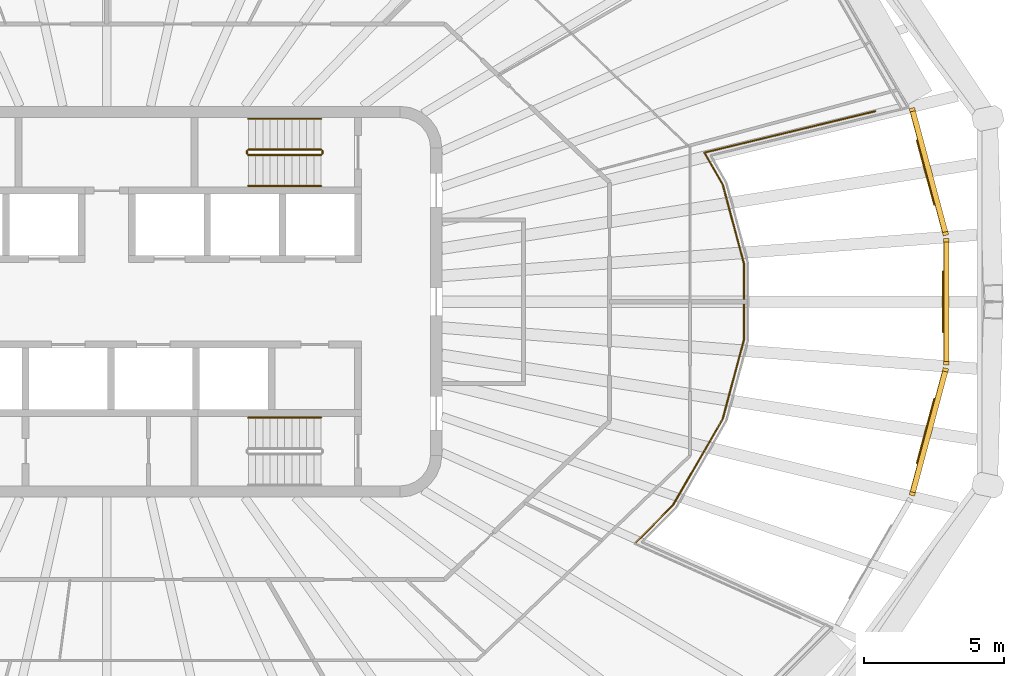
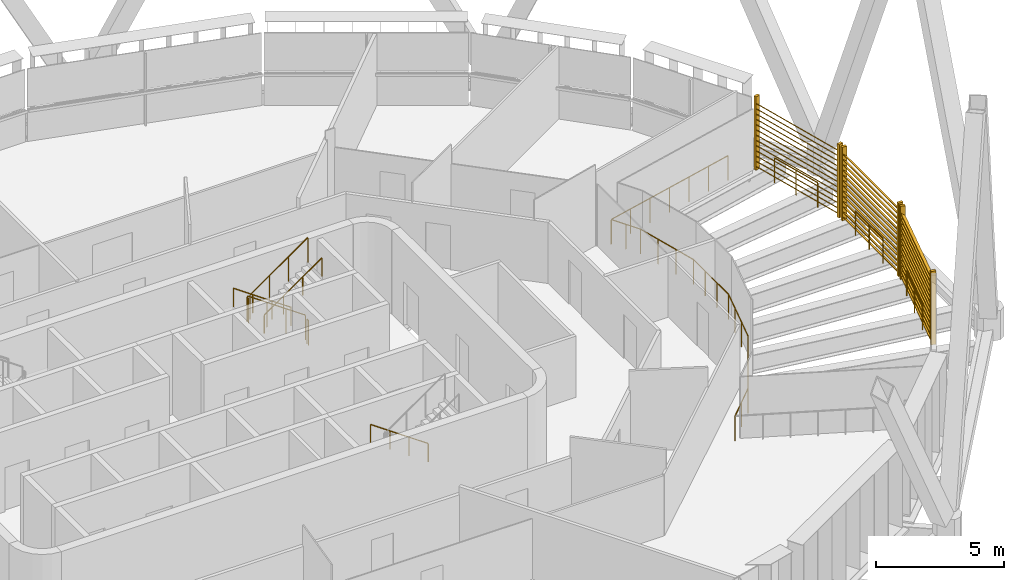
# One storey, part 19 of 20: 11 railings, 3 shading devices.
"""IFC4 building model written with IfcOpenShell, lengths in metres."""

import ifcopenshell
import ifcopenshell.guid

model = None  # the IFC model being written
_history = None  # IfcOwnerHistory: only IFC2X3 demands one
_inside = {}  # id of a spatial element -> (the spatial element, [elements in it])
_under = {}  # id of a project, library or spatial element -> (it, [spatial elements below it])
_declared = {}  # id of a project -> (the project, [libraries it declares])
_typed = {}  # id of a type object -> (the type object, [elements of that type])
_made_of = {}  # id of a material, layer set ... -> (it, [elements and type objects made of it])


def new_model(schema):
    """Start an empty IFC model of exactly this schema.

    Asked for "IFC4X3", IfcOpenShell would pick the latest addendum, in which some entities
    have other attributes; the version numbers below select the first issue.
    IFC2X3 requires an IfcOwnerHistory on every rooted entity: one is made here for all.
    """
    global model, _history
    if schema == "IFC4X3":
        model = ifcopenshell.file(schema_version=(4, 3, 0, 0))
    else:
        model = ifcopenshell.file(schema=schema)
    _inside.clear()
    _under.clear()
    _declared.clear()
    _typed.clear()
    _made_of.clear()
    _history = None
    if model.schema == "IFC2X3":
        org = make("IfcOrganization", Name="unknown")
        user = make(
            "IfcPersonAndOrganization",
            ThePerson=make("IfcPerson", FamilyName="unknown"),
            TheOrganization=org,
        )
        app = make(
            "IfcApplication",
            ApplicationDeveloper=org,
            Version="unknown",
            ApplicationFullName="unknown",
            ApplicationIdentifier="unknown",
        )
        _history = make(
            "IfcOwnerHistory",
            OwningUser=user,
            OwningApplication=app,
            ChangeAction="ADDED",
            CreationDate=0,
        )
    return model


def make(cls, **values):
    """One entity of the class cls with the attributes given. An attribute that is None is left unset."""
    return model.create_entity(
        cls, **{name: value for name, value in values.items() if value is not None}
    )


def rooted(cls, **values):
    """An entity with a GlobalId (a new one), such as an element, a storey or a relation."""
    return make(cls, GlobalId=ifcopenshell.guid.new(), OwnerHistory=_history, **values)


def si_unit(unit_type, name, prefix=None):
    """IfcSIUnit, for example si_unit("LENGTHUNIT", "METRE", prefix="MILLI")."""
    return make("IfcSIUnit", UnitType=unit_type, Prefix=prefix, Name=name)


def assignment(units):
    """IfcUnitAssignment: the units of a project."""
    return None if units is None else make("IfcUnitAssignment", Units=units)


def point(xyz):
    """IfcCartesianPoint."""
    return None if xyz is None else make("IfcCartesianPoint", Coordinates=xyz)


def direction(xyz):
    """IfcDirection."""
    return None if xyz is None else make("IfcDirection", DirectionRatios=xyz)


def frame(location, z_axis=None, x_axis=None):
    """IfcAxis2Placement3D, a coordinate frame: its origin and axes. An axis left out is left unset."""
    return make(
        "IfcAxis2Placement3D",
        Location=point(location),
        Axis=direction(z_axis),
        RefDirection=direction(x_axis),
    )


def frame_2d(location, x_axis=None):
    """IfcAxis2Placement2D, a coordinate frame in the plane: its origin and x axis."""
    return make(
        "IfcAxis2Placement2D", Location=point(location), RefDirection=direction(x_axis)
    )


def origin():
    """The frame at (0, 0, 0) with its axes left unset."""
    return frame((0.0, 0.0, 0.0))


def origin_2d():
    """The frame at (0, 0) in the plane with its x axis left unset."""
    return frame_2d((0.0, 0.0))


def place(relative_to, where):
    """IfcLocalPlacement: puts the frame where relative to a parent placement (None: the world)."""
    return make(
        "IfcLocalPlacement", PlacementRelTo=relative_to, RelativePlacement=where
    )


def context(
    kind, dimensions, precision=None, world=None, true_north=None, identifier=None
):
    """IfcGeometricRepresentationContext, for example the 3D "Model" context."""
    return make(
        "IfcGeometricRepresentationContext",
        ContextIdentifier=identifier,
        ContextType=kind,
        CoordinateSpaceDimension=dimensions,
        Precision=precision,
        WorldCoordinateSystem=world,
        TrueNorth=true_north,
    )


def subcontext(parent, identifier, kind, view, scale=None):
    """IfcGeometricRepresentationSubContext, for example "Body" below "Model"."""
    return make(
        "IfcGeometricRepresentationSubContext",
        ContextIdentifier=identifier,
        ContextType=kind,
        ParentContext=parent,
        TargetScale=scale,
        TargetView=view,
    )


def project(units=None, contexts=None):
    """IfcProject with its units and contexts."""
    return rooted(
        "IfcProject",
        Name="project",
        RepresentationContexts=contexts,
        UnitsInContext=assignment(units),
    )


def spatial(cls, under=None, at=None, **own):
    """A site, building, storey or space (cls), placed at a placement, below another one or the project."""
    s = rooted(cls, ObjectPlacement=at, **own)
    if under is not None:
        _under.setdefault(under.id(), (under, []))[1].append(s)
    return s


def profile(cls, at=None, kind="AREA", **sizes):
    """A parametric profile (cls). Its sizes go by their IFC names, for example OverallWidth=200.0."""
    return make(cls, ProfileType=kind, Position=at, **sizes)


def rectangle(**sizes):
    """IfcRectangleProfileDef."""
    return profile("IfcRectangleProfileDef", **sizes)


def circle(**sizes):
    """IfcCircleProfileDef."""
    return profile("IfcCircleProfileDef", **sizes)


def extrude(swept, where, along, depth):
    """IfcExtrudedAreaSolid: the profile swept, set in the frame where, extruded along a direction by depth."""
    return make(
        "IfcExtrudedAreaSolid",
        SweptArea=swept,
        Position=where,
        ExtrudedDirection=direction(along),
        Depth=depth,
    )


def shape(context_of_items, identifier, shape_type, items):
    """IfcShapeRepresentation: the items that make up one representation, for example the "Body"."""
    return make(
        "IfcShapeRepresentation",
        ContextOfItems=context_of_items,
        RepresentationIdentifier=identifier,
        RepresentationType=shape_type,
        Items=items,
    )


def material(Name=None, Category=None):
    """IfcMaterial."""
    return make("IfcMaterial", Name=Name, Category=Category)


def made_of(thing, what):
    """Note that an element or type object is made of a material, layer set ...; save() writes the relation."""
    if what is not None:
        _made_of.setdefault(what.id(), (what, []))[1].append(thing)
    return thing


def type_object(cls, material=None, **own):
    """A type object (cls), such as IfcWallType, which elements share."""
    return made_of(rooted(cls, **own), material)


def element(
    cls,
    number,
    at=None,
    inside=None,
    cuts=None,
    type_object=None,
    material=None,
    context=None,
    identifier="Body",
    shape_type=None,
    held_by="IfcProductDefinitionShape",
    body=None,
    shapes=None,
    **own,
):
    """One element of the class cls, such as IfcWall. Its Tag is "e" and its number.

    at: its placement. inside: the storey or other place that contains it. cuts: it is an
    opening in that element (IfcRelVoidsElement). A single representation is given by context,
    identifier, shape_type and body (its items); several are given by shapes. held_by: the class
    of the entity that holds the representations. save() writes the other relations.
    """
    e = rooted(cls, Tag="e%d" % number, ObjectPlacement=at, **own)
    if body is not None:
        shapes = [shape(context, identifier, shape_type, body)]
    if shapes is not None:
        e.Representation = make(held_by, Representations=shapes)
    if inside is not None:
        _inside.setdefault(inside.id(), (inside, []))[1].append(e)
    if cuts is not None:
        rooted(
            "IfcRelVoidsElement", RelatingBuildingElement=cuts, RelatedOpeningElement=e
        )
    if type_object is not None:
        _typed.setdefault(type_object.id(), (type_object, []))[1].append(e)
    return made_of(e, material)


def aggregate(whole, parts):
    """IfcRelAggregates: a whole, such as a stair, and the parts it consists of."""
    return rooted("IfcRelAggregates", RelatingObject=whole, RelatedObjects=parts)


def save(model, path):
    """Write the relations noted so far, then the file.

    IfcRelAggregates (storeys below a building ...), IfcRelContainedInSpatialStructure (elements
    in a storey), IfcRelDefinesByType, IfcRelAssociatesMaterial and IfcRelDeclares: one each for
    every whole, place, type object, material and project.
    """
    for whole, parts in _under.values():
        aggregate(whole, parts)
    for where, things in _inside.values():
        rooted(
            "IfcRelContainedInSpatialStructure",
            RelatedElements=things,
            RelatingStructure=where,
        )
    for kind, things in _typed.values():
        rooted("IfcRelDefinesByType", RelatedObjects=things, RelatingType=kind)
    for what, things in _made_of.values():
        rooted("IfcRelAssociatesMaterial", RelatedObjects=things, RelatingMaterial=what)
    for by, libraries in _declared.values():
        rooted("IfcRelDeclares", RelatingContext=by, RelatedDefinitions=libraries)
    model.write(path)


model = new_model("IFC4")

# Units and contexts
model_context = context("Model", 3, precision=1e-05, world=origin(), true_north=direction((0.0, 1.0)))
body_context = subcontext(model_context, "Body", "Model", "MODEL_VIEW")
ifc_project = project(units=[si_unit("LENGTHUNIT", "METRE"), si_unit("AREAUNIT", "SQUARE_METRE"), si_unit("VOLUMEUNIT", "CUBIC_METRE"), si_unit("PLANEANGLEUNIT", "RADIAN"), si_unit("MASSUNIT", "GRAM", prefix="KILO")], contexts=[model_context])

# Site, building, storey
site_placement = place(None, origin())
site = spatial("IfcSite", under=ifc_project, at=site_placement, CompositionType="ELEMENT")
building_placement = place(site_placement, origin())
building = spatial("IfcBuilding", under=site, at=building_placement, Name="Sahrelin Media Tower", CompositionType="ELEMENT")
storey_placement = place(building_placement, frame((0.0, 0.0, 267.0)))
storey = spatial("IfcBuildingStorey", under=building, at=storey_placement, Name="L58", CompositionType="ELEMENT", Elevation=267.0)

# Shading devices
ifc_material_1 = material(Name="Champagne anodised aluminium 6063-T6", Category="aluminium")
shading_device_type = type_object("IfcShadingDeviceType", Name="Garden screen", PredefinedType="USERDEFINED", material=ifc_material_1)
shading_device_1_placement = place(storey_placement, frame((29.966064453125, 0.0, 0.0), z_axis=(0.0, 0.0, 1.0), x_axis=(0.0, -1.0, 0.0)))
element("IfcShadingDevice", 1, at=shading_device_1_placement, inside=storey, type_object=shading_device_type, Name="L58:SCREEN:L58-00", ObjectType="SCREEN", PredefinedType="USERDEFINED", context=body_context, shape_type="SweptSolid", body=[
    extrude(rectangle(XDim=0.1201171875, YDim=0.199951171875, at=origin_2d()), frame((2.196533203125, 0.10009765625, 0.050048828125), z_axis=(0.0, 0.0, 1.0), x_axis=(1.0, 0.0, 0.0)), (0.0, 0.0, 1.0), 3.49853515625),
    extrude(rectangle(XDim=0.1201171875, YDim=0.199951171875, at=origin_2d()), frame((-2.196533203125, 0.10009765625, 0.050048828125), z_axis=(0.0, 0.0, 1.0), x_axis=(1.0, 0.0, 0.0)), (0.0, 0.0, 1.0), 3.49853515625),
    extrude(rectangle(XDim=0.25, YDim=0.02001953125, at=origin_2d()), frame((2.136474609375, 0.10009765625, 0.14990234375), z_axis=(-1.0, 0.0, 0.0), x_axis=(0.0, -0.766044443119, 0.642787609687)), (0.0, 0.0, 1.0), 4.27294921875),
    extrude(rectangle(XDim=0.25, YDim=0.02001953125, at=origin_2d()), frame((2.136474609375, 0.10009765625, 0.39990234375), z_axis=(-1.0, 0.0, 0.0), x_axis=(0.0, -0.766044443119, 0.642787609687)), (0.0, 0.0, 1.0), 4.27294921875),
    extrude(rectangle(XDim=0.25, YDim=0.02001953125, at=origin_2d()), frame((2.136474609375, 0.10009765625, 0.64990234375), z_axis=(-1.0, 0.0, 0.0), x_axis=(0.0, -0.766044443119, 0.642787609687)), (0.0, 0.0, 1.0), 4.27294921875),
    extrude(rectangle(XDim=0.25, YDim=0.02001953125, at=origin_2d()), frame((2.136474609375, 0.10009765625, 0.89990234375), z_axis=(-1.0, 0.0, 0.0), x_axis=(0.0, -0.766044443119, 0.642787609687)), (0.0, 0.0, 1.0), 4.27294921875),
    extrude(rectangle(XDim=0.25, YDim=0.02001953125, at=origin_2d()), frame((2.136474609375, 0.10009765625, 1.14990234375), z_axis=(-1.0, 0.0, 0.0), x_axis=(0.0, -0.766044443119, 0.642787609687)), (0.0, 0.0, 1.0), 4.27294921875),
    extrude(rectangle(XDim=0.25, YDim=0.02001953125, at=origin_2d()), frame((2.136474609375, 0.10009765625, 1.39990234375), z_axis=(-1.0, 0.0, 0.0), x_axis=(0.0, -0.766044443119, 0.642787609687)), (0.0, 0.0, 1.0), 4.27294921875),
    extrude(rectangle(XDim=0.25, YDim=0.02001953125, at=origin_2d()), frame((2.136474609375, 0.10009765625, 1.64990234375), z_axis=(-1.0, 0.0, 0.0), x_axis=(0.0, -0.766044443119, 0.642787609687)), (0.0, 0.0, 1.0), 4.27294921875),
    extrude(rectangle(XDim=0.25, YDim=0.02001953125, at=origin_2d()), frame((2.136474609375, 0.10009765625, 1.89990234375), z_axis=(-1.0, 0.0, 0.0), x_axis=(0.0, -0.766044443119, 0.642787609687)), (0.0, 0.0, 1.0), 4.27294921875),
    extrude(rectangle(XDim=0.25, YDim=0.02001953125, at=origin_2d()), frame((2.136474609375, 0.10009765625, 2.14990234375), z_axis=(-1.0, 0.0, 0.0), x_axis=(0.0, -0.766044443119, 0.642787609687)), (0.0, 0.0, 1.0), 4.27294921875),
    extrude(rectangle(XDim=0.25, YDim=0.02001953125, at=origin_2d()), frame((2.136474609375, 0.10009765625, 2.39990234375), z_axis=(-1.0, 0.0, 0.0), x_axis=(0.0, -0.766044443119, 0.642787609687)), (0.0, 0.0, 1.0), 4.27294921875),
    extrude(rectangle(XDim=0.25, YDim=0.02001953125, at=origin_2d()), frame((2.136474609375, 0.10009765625, 2.64990234375), z_axis=(-1.0, 0.0, 0.0), x_axis=(0.0, -0.766044443119, 0.642787609687)), (0.0, 0.0, 1.0), 4.27294921875),
    extrude(rectangle(XDim=0.25, YDim=0.02001953125, at=origin_2d()), frame((2.136474609375, 0.10009765625, 2.89990234375), z_axis=(-1.0, 0.0, 0.0), x_axis=(0.0, -0.766044443119, 0.642787609687)), (0.0, 0.0, 1.0), 4.27294921875),
    extrude(rectangle(XDim=0.25, YDim=0.02001953125, at=origin_2d()), frame((2.136474609375, 0.10009765625, 3.14990234375), z_axis=(-1.0, 0.0, 0.0), x_axis=(0.0, -0.766044443119, 0.642787609687)), (0.0, 0.0, 1.0), 4.27294921875),
])
shading_device_2_placement = place(storey_placement, frame((29.343017578125, 4.632080078125, 0.0), z_axis=(0.0, 0.0, 1.0), x_axis=(0.258807731996, -0.965928857556, 0.0)))
element("IfcShadingDevice", 2, at=shading_device_2_placement, inside=storey, type_object=shading_device_type, Name="L58:SCREEN:L58-01", ObjectType="SCREEN", PredefinedType="USERDEFINED", context=body_context, shape_type="SweptSolid", body=[
    extrude(rectangle(XDim=0.1201171875, YDim=0.199951171875, at=origin_2d()), frame((2.297607421875, 0.10009765625, 0.050048828125), z_axis=(0.0, 0.0, 1.0), x_axis=(1.0, 0.0, 0.0)), (0.0, 0.0, 1.0), 3.49853515625),
    extrude(rectangle(XDim=0.1201171875, YDim=0.199951171875, at=origin_2d()), frame((-2.297607421875, 0.10009765625, 0.050048828125), z_axis=(0.0, 0.0, 1.0), x_axis=(1.0, 0.0, 0.0)), (0.0, 0.0, 1.0), 3.49853515625),
    extrude(rectangle(XDim=0.25, YDim=0.02001953125, at=origin_2d()), frame((2.23779296875, 0.10009765625, 0.14990234375), z_axis=(-1.0, 0.0, 0.0), x_axis=(0.0, -0.766044443119, 0.642787609687)), (0.0, 0.0, 1.0), 4.4755859375),
    extrude(rectangle(XDim=0.25, YDim=0.02001953125, at=origin_2d()), frame((2.23779296875, 0.10009765625, 0.39990234375), z_axis=(-1.0, 0.0, 0.0), x_axis=(0.0, -0.766044443119, 0.642787609687)), (0.0, 0.0, 1.0), 4.4755859375),
    extrude(rectangle(XDim=0.25, YDim=0.02001953125, at=origin_2d()), frame((2.23779296875, 0.10009765625, 0.64990234375), z_axis=(-1.0, 0.0, 0.0), x_axis=(0.0, -0.766044443119, 0.642787609687)), (0.0, 0.0, 1.0), 4.4755859375),
    extrude(rectangle(XDim=0.25, YDim=0.02001953125, at=origin_2d()), frame((2.23779296875, 0.10009765625, 0.89990234375), z_axis=(-1.0, 0.0, 0.0), x_axis=(0.0, -0.766044443119, 0.642787609687)), (0.0, 0.0, 1.0), 4.4755859375),
    extrude(rectangle(XDim=0.25, YDim=0.02001953125, at=origin_2d()), frame((2.23779296875, 0.10009765625, 1.14990234375), z_axis=(-1.0, 0.0, 0.0), x_axis=(0.0, -0.766044443119, 0.642787609687)), (0.0, 0.0, 1.0), 4.4755859375),
    extrude(rectangle(XDim=0.25, YDim=0.02001953125, at=origin_2d()), frame((2.23779296875, 0.10009765625, 1.39990234375), z_axis=(-1.0, 0.0, 0.0), x_axis=(0.0, -0.766044443119, 0.642787609687)), (0.0, 0.0, 1.0), 4.4755859375),
    extrude(rectangle(XDim=0.25, YDim=0.02001953125, at=origin_2d()), frame((2.23779296875, 0.10009765625, 1.64990234375), z_axis=(-1.0, 0.0, 0.0), x_axis=(0.0, -0.766044443119, 0.642787609687)), (0.0, 0.0, 1.0), 4.4755859375),
    extrude(rectangle(XDim=0.25, YDim=0.02001953125, at=origin_2d()), frame((2.23779296875, 0.10009765625, 1.89990234375), z_axis=(-1.0, 0.0, 0.0), x_axis=(0.0, -0.766044443119, 0.642787609687)), (0.0, 0.0, 1.0), 4.4755859375),
    extrude(rectangle(XDim=0.25, YDim=0.02001953125, at=origin_2d()), frame((2.23779296875, 0.10009765625, 2.14990234375), z_axis=(-1.0, 0.0, 0.0), x_axis=(0.0, -0.766044443119, 0.642787609687)), (0.0, 0.0, 1.0), 4.4755859375),
    extrude(rectangle(XDim=0.25, YDim=0.02001953125, at=origin_2d()), frame((2.23779296875, 0.10009765625, 2.39990234375), z_axis=(-1.0, 0.0, 0.0), x_axis=(0.0, -0.766044443119, 0.642787609687)), (0.0, 0.0, 1.0), 4.4755859375),
    extrude(rectangle(XDim=0.25, YDim=0.02001953125, at=origin_2d()), frame((2.23779296875, 0.10009765625, 2.64990234375), z_axis=(-1.0, 0.0, 0.0), x_axis=(0.0, -0.766044443119, 0.642787609687)), (0.0, 0.0, 1.0), 4.4755859375),
    extrude(rectangle(XDim=0.25, YDim=0.02001953125, at=origin_2d()), frame((2.23779296875, 0.10009765625, 2.89990234375), z_axis=(-1.0, 0.0, 0.0), x_axis=(0.0, -0.766044443119, 0.642787609687)), (0.0, 0.0, 1.0), 4.4755859375),
    extrude(rectangle(XDim=0.25, YDim=0.02001953125, at=origin_2d()), frame((2.23779296875, 0.10009765625, 3.14990234375), z_axis=(-1.0, 0.0, 0.0), x_axis=(0.0, -0.766044443119, 0.642787609687)), (0.0, 0.0, 1.0), 4.4755859375),
])
shading_device_3_placement = place(storey_placement, frame((29.343017578125, -4.632080078125, 0.0), z_axis=(0.0, 0.0, 1.0), x_axis=(-0.258807731996, -0.965928857556, 0.0)))
element("IfcShadingDevice", 3, at=shading_device_3_placement, inside=storey, type_object=shading_device_type, Name="L58:SCREEN:L58-23", ObjectType="SCREEN", PredefinedType="USERDEFINED", context=body_context, shape_type="SweptSolid", body=[
    extrude(rectangle(XDim=0.1201171875, YDim=0.199951171875, at=origin_2d()), frame((2.297607421875, 0.10009765625, 0.050048828125), z_axis=(0.0, 0.0, 1.0), x_axis=(1.0, 0.0, 0.0)), (0.0, 0.0, 1.0), 3.49853515625),
    extrude(rectangle(XDim=0.1201171875, YDim=0.199951171875, at=origin_2d()), frame((-2.297607421875, 0.10009765625, 0.050048828125), z_axis=(0.0, 0.0, 1.0), x_axis=(1.0, 0.0, 0.0)), (0.0, 0.0, 1.0), 3.49853515625),
    extrude(rectangle(XDim=0.25, YDim=0.02001953125, at=origin_2d()), frame((2.23779296875, 0.10009765625, 0.14990234375), z_axis=(-1.0, 0.0, 0.0), x_axis=(0.0, -0.766044443119, 0.642787609687)), (0.0, 0.0, 1.0), 4.4755859375),
    extrude(rectangle(XDim=0.25, YDim=0.02001953125, at=origin_2d()), frame((2.23779296875, 0.10009765625, 0.39990234375), z_axis=(-1.0, 0.0, 0.0), x_axis=(0.0, -0.766044443119, 0.642787609687)), (0.0, 0.0, 1.0), 4.4755859375),
    extrude(rectangle(XDim=0.25, YDim=0.02001953125, at=origin_2d()), frame((2.23779296875, 0.10009765625, 0.64990234375), z_axis=(-1.0, 0.0, 0.0), x_axis=(0.0, -0.766044443119, 0.642787609687)), (0.0, 0.0, 1.0), 4.4755859375),
    extrude(rectangle(XDim=0.25, YDim=0.02001953125, at=origin_2d()), frame((2.23779296875, 0.10009765625, 0.89990234375), z_axis=(-1.0, 0.0, 0.0), x_axis=(0.0, -0.766044443119, 0.642787609687)), (0.0, 0.0, 1.0), 4.4755859375),
    extrude(rectangle(XDim=0.25, YDim=0.02001953125, at=origin_2d()), frame((2.23779296875, 0.10009765625, 1.14990234375), z_axis=(-1.0, 0.0, 0.0), x_axis=(0.0, -0.766044443119, 0.642787609687)), (0.0, 0.0, 1.0), 4.4755859375),
    extrude(rectangle(XDim=0.25, YDim=0.02001953125, at=origin_2d()), frame((2.23779296875, 0.10009765625, 1.39990234375), z_axis=(-1.0, 0.0, 0.0), x_axis=(0.0, -0.766044443119, 0.642787609687)), (0.0, 0.0, 1.0), 4.4755859375),
    extrude(rectangle(XDim=0.25, YDim=0.02001953125, at=origin_2d()), frame((2.23779296875, 0.10009765625, 1.64990234375), z_axis=(-1.0, 0.0, 0.0), x_axis=(0.0, -0.766044443119, 0.642787609687)), (0.0, 0.0, 1.0), 4.4755859375),
    extrude(rectangle(XDim=0.25, YDim=0.02001953125, at=origin_2d()), frame((2.23779296875, 0.10009765625, 1.89990234375), z_axis=(-1.0, 0.0, 0.0), x_axis=(0.0, -0.766044443119, 0.642787609687)), (0.0, 0.0, 1.0), 4.4755859375),
    extrude(rectangle(XDim=0.25, YDim=0.02001953125, at=origin_2d()), frame((2.23779296875, 0.10009765625, 2.14990234375), z_axis=(-1.0, 0.0, 0.0), x_axis=(0.0, -0.766044443119, 0.642787609687)), (0.0, 0.0, 1.0), 4.4755859375),
    extrude(rectangle(XDim=0.25, YDim=0.02001953125, at=origin_2d()), frame((2.23779296875, 0.10009765625, 2.39990234375), z_axis=(-1.0, 0.0, 0.0), x_axis=(0.0, -0.766044443119, 0.642787609687)), (0.0, 0.0, 1.0), 4.4755859375),
    extrude(rectangle(XDim=0.25, YDim=0.02001953125, at=origin_2d()), frame((2.23779296875, 0.10009765625, 2.64990234375), z_axis=(-1.0, 0.0, 0.0), x_axis=(0.0, -0.766044443119, 0.642787609687)), (0.0, 0.0, 1.0), 4.4755859375),
    extrude(rectangle(XDim=0.25, YDim=0.02001953125, at=origin_2d()), frame((2.23779296875, 0.10009765625, 2.89990234375), z_axis=(-1.0, 0.0, 0.0), x_axis=(0.0, -0.766044443119, 0.642787609687)), (0.0, 0.0, 1.0), 4.4755859375),
    extrude(rectangle(XDim=0.25, YDim=0.02001953125, at=origin_2d()), frame((2.23779296875, 0.10009765625, 3.14990234375), z_axis=(-1.0, 0.0, 0.0), x_axis=(0.0, -0.766044443119, 0.642787609687)), (0.0, 0.0, 1.0), 4.4755859375),
])

# Railings
ifc_material_2 = material(Name="Stainless steel 316", Category="steel")
railing_type_1 = type_object("IfcRailingType", Name="Sky garden guard", PredefinedType="GUARDRAIL", material=ifc_material_2)
railing_1_placement = place(storey_placement, frame((18.904541015625, -8.656005859375, 0.0)))
element("IfcRailing", 4, at=railing_1_placement, inside=storey, type_object=railing_type_1, Name="Sky garden void guard G7-1", PredefinedType="GUARDRAIL", context=body_context, shape_type="SweptSolid", body=[
    extrude(circle(Radius=0.02392578125, at=origin_2d()), frame((0.0, 0.0, 1.17578125), z_axis=(0.707043750766, 0.70716980599, 0.0), x_axis=(-0.70716980599, 0.707043750766, 0.0)), (0.0, 0.0, 1.0), 1.936767578125),
    extrude(circle(Radius=0.02392578125, at=origin_2d()), frame((1.369384765625, 1.36962890625, 1.17578125), z_axis=(0.499975307128, 0.866039659752, 0.0), x_axis=(-0.866039659752, 0.499975307128, 0.0)), (0.0, 0.0, 1.0), 3.566162109375),
    extrude(circle(Radius=0.02392578125, at=origin_2d()), frame((3.15234375, 4.4580078125, 1.17578125), z_axis=(0.258895589384, 0.96590531306, 0.0), x_axis=(-0.96590531306, 0.258895589384, 0.0)), (0.0, 0.0, 1.0), 2.932861328125),
    extrude(circle(Radius=0.02392578125, at=origin_2d()), frame((3.91162109375, 7.290771484375, 1.17578125), z_axis=(0.0, 1.0, 0.0), x_axis=(-1.0, 0.0, 0.0)), (0.0, 0.0, 1.0), 2.73046875),
    extrude(circle(Radius=0.02392578125, at=origin_2d()), frame((3.91162109375, 10.021240234375, 1.17578125), z_axis=(-0.258895589384, 0.96590531306, 0.0), x_axis=(-0.96590531306, -0.258895589384, 0.0)), (0.0, 0.0, 1.0), 2.932861328125),
    extrude(circle(Radius=0.02392578125, at=origin_2d()), frame((3.15234375, 12.85400390625, 1.17578125), z_axis=(-0.499808046739, 0.866136199691, 0.0), x_axis=(-0.866136199691, -0.499808046739, 0.0)), (0.0, 0.0, 1.0), 1.31689453125),
    extrude(circle(Radius=0.02392578125, at=origin_2d()), frame((2.494140625, 13.99462890625, 1.17578125), z_axis=(0.971883481455, 0.235462307972, 0.0), x_axis=(-0.235462307972, 0.971883481455, 0.0)), (0.0, 0.0, 1.0), 6.291748046875),
    extrude(circle(Radius=0.02099609375, at=origin_2d()), origin(), (0.0, 0.0, 1.0), 1.15185546875),
    extrude(circle(Radius=0.02099609375, at=origin_2d()), frame((0.6845703125, 0.684814453125, 0.0)), (0.0, 0.0, 1.0), 1.15185546875),
    extrude(circle(Radius=0.02099609375, at=origin_2d()), frame((1.369384765625, 1.36962890625, 0.0)), (0.0, 0.0, 1.0), 1.15185546875),
    extrude(circle(Radius=0.02099609375, at=origin_2d()), frame((1.963623046875, 2.399169921875, 0.0)), (0.0, 0.0, 1.0), 1.15185546875),
    extrude(circle(Radius=0.02099609375, at=origin_2d()), frame((2.55810546875, 3.428466796875, 0.0)), (0.0, 0.0, 1.0), 1.15185546875),
    extrude(circle(Radius=0.02099609375, at=origin_2d()), frame((3.15234375, 4.4580078125, 0.0)), (0.0, 0.0, 1.0), 1.15185546875),
    extrude(circle(Radius=0.02099609375, at=origin_2d()), frame((3.405517578125, 5.40234375, 0.0)), (0.0, 0.0, 1.0), 1.15185546875),
    extrude(circle(Radius=0.02099609375, at=origin_2d()), frame((3.658447265625, 6.346435546875, 0.0)), (0.0, 0.0, 1.0), 1.15185546875),
    extrude(circle(Radius=0.02099609375, at=origin_2d()), frame((3.91162109375, 7.290771484375, 0.0)), (0.0, 0.0, 1.0), 1.15185546875),
    extrude(circle(Radius=0.02099609375, at=origin_2d()), frame((3.91162109375, 8.200927734375, 0.0)), (0.0, 0.0, 1.0), 1.15185546875),
    extrude(circle(Radius=0.02099609375, at=origin_2d()), frame((3.91162109375, 9.111083984375, 0.0)), (0.0, 0.0, 1.0), 1.15185546875),
    extrude(circle(Radius=0.02099609375, at=origin_2d()), frame((3.91162109375, 10.021240234375, 0.0)), (0.0, 0.0, 1.0), 1.15185546875),
    extrude(circle(Radius=0.02099609375, at=origin_2d()), frame((3.658447265625, 10.965576171875, 0.0)), (0.0, 0.0, 1.0), 1.15185546875),
    extrude(circle(Radius=0.02099609375, at=origin_2d()), frame((3.405517578125, 11.90966796875, 0.0)), (0.0, 0.0, 1.0), 1.15185546875),
    extrude(circle(Radius=0.02099609375, at=origin_2d()), frame((3.15234375, 12.85400390625, 0.0)), (0.0, 0.0, 1.0), 1.15185546875),
    extrude(circle(Radius=0.02099609375, at=origin_2d()), frame((2.8232421875, 13.42431640625, 0.0)), (0.0, 0.0, 1.0), 1.15185546875),
    extrude(circle(Radius=0.02099609375, at=origin_2d()), frame((2.494140625, 13.99462890625, 0.0)), (0.0, 0.0, 1.0), 1.15185546875),
    extrude(circle(Radius=0.02099609375, at=origin_2d()), frame((3.51318359375, 14.241455078125, 0.0)), (0.0, 0.0, 1.0), 1.15185546875),
    extrude(circle(Radius=0.02099609375, at=origin_2d()), frame((4.532470703125, 14.488525390625, 0.0)), (0.0, 0.0, 1.0), 1.15185546875),
    extrude(circle(Radius=0.02099609375, at=origin_2d()), frame((5.551513671875, 14.7353515625, 0.0)), (0.0, 0.0, 1.0), 1.15185546875),
    extrude(circle(Radius=0.02099609375, at=origin_2d()), frame((6.570556640625, 14.982177734375, 0.0)), (0.0, 0.0, 1.0), 1.15185546875),
    extrude(circle(Radius=0.02099609375, at=origin_2d()), frame((7.58984375, 15.229248046875, 0.0)), (0.0, 0.0, 1.0), 1.15185546875),
    extrude(circle(Radius=0.02099609375, at=origin_2d()), frame((8.60888671875, 15.47607421875, 0.0)), (0.0, 0.0, 1.0), 1.15185546875),
])
railing_2_placement = place(storey_placement, frame((29.0126953125, 5.778076171875, 0.0)))
element("IfcRailing", 5, at=railing_2_placement, inside=storey, type_object=railing_type_1, Name="Sky garden void guard G7-2", PredefinedType="GUARDRAIL", context=body_context, shape_type="SweptSolid", body=[
    extrude(circle(Radius=0.02392578125, at=origin_2d()), frame((0.0, 0.0, 1.17578125), z_axis=(0.258777002352, -0.965937090629, 0.0), x_axis=(0.965937090629, 0.258777002352, 0.0)), (0.0, 0.0, 1.0), 2.385986328125),
    extrude(circle(Radius=0.02099609375, at=origin_2d()), origin(), (0.0, 0.0, 1.0), 1.15185546875),
    extrude(circle(Radius=0.02099609375, at=origin_2d()), frame((0.30859375, -1.15234375, 0.0)), (0.0, 0.0, 1.0), 1.15185546875),
    extrude(circle(Radius=0.02099609375, at=origin_2d()), frame((0.617431640625, -2.3046875, 0.0)), (0.0, 0.0, 1.0), 1.15185546875),
])
railing_3_placement = place(storey_placement, frame((29.943603515625, 1.088623046875, 0.0)))
element("IfcRailing", 6, at=railing_3_placement, inside=storey, type_object=railing_type_1, Name="Sky garden void guard G7-3", PredefinedType="GUARDRAIL", context=body_context, shape_type="SweptSolid", body=[
    extrude(circle(Radius=0.02392578125, at=origin_2d()), frame((0.0, 0.0, 1.17578125), z_axis=(0.0, -1.0, 0.0), x_axis=(1.0, 0.0, 0.0)), (0.0, 0.0, 1.0), 2.17724609375),
    extrude(circle(Radius=0.02099609375, at=origin_2d()), origin(), (0.0, 0.0, 1.0), 1.15185546875),
    extrude(circle(Radius=0.02099609375, at=origin_2d()), frame((0.0, -1.088623046875, 0.0)), (0.0, 0.0, 1.0), 1.15185546875),
    extrude(circle(Radius=0.02099609375, at=origin_2d()), frame((0.0, -2.17724609375, 0.0)), (0.0, 0.0, 1.0), 1.15185546875),
])
railing_4_placement = place(storey_placement, frame((29.630126953125, -3.473388671875, 0.0)))
element("IfcRailing", 7, at=railing_4_placement, inside=storey, type_object=railing_type_1, Name="Sky garden void guard G7-4", PredefinedType="GUARDRAIL", context=body_context, shape_type="SweptSolid", body=[
    extrude(circle(Radius=0.02392578125, at=origin_2d()), frame((0.0, 0.0, 1.17578125), z_axis=(-0.258777002352, -0.965937090629, 0.0), x_axis=(0.965937090629, -0.258777002352, 0.0)), (0.0, 0.0, 1.0), 2.385986328125),
    extrude(circle(Radius=0.02099609375, at=origin_2d()), origin(), (0.0, 0.0, 1.0), 1.15185546875),
    extrude(circle(Radius=0.02099609375, at=origin_2d()), frame((-0.30859375, -1.15234375, 0.0)), (0.0, 0.0, 1.0), 1.15185546875),
    extrude(circle(Radius=0.02099609375, at=origin_2d()), frame((-0.617431640625, -2.3046875, 0.0)), (0.0, 0.0, 1.0), 1.15185546875),
])
ifc_material_3 = material(Name="Steel S355", Category="steel")
railing_type_2 = type_object("IfcRailingType", Name="Stair guard 1200", PredefinedType="GUARDRAIL", material=ifc_material_3)
railing_5_placement = place(storey_placement, frame((7.675048828125, 5.449951171875, 0.181884765625)))
element("IfcRailing", 8, at=railing_5_placement, inside=storey, type_object=railing_type_2, Name="L58 ST3 stair guard 1", PredefinedType="GUARDRAIL", context=body_context, shape_type="SweptSolid", body=[
    extrude(circle(Radius=0.02392578125, at=origin_2d()), frame((0.0, 0.0, 1.17578125), z_axis=(-0.819521025635, 0.0, 0.573049115296), x_axis=(0.0, -1.0, 0.0)), (0.0, 0.0, 1.0), 3.172607421875),
    extrude(circle(Radius=0.02099609375, at=origin_2d()), origin(), (0.0, 0.0, 1.0), 1.15185546875),
    extrude(circle(Radius=0.02099609375, at=origin_2d()), frame((-0.86669921875, 0.0, 0.60595703125)), (0.0, 0.0, 1.0), 1.15185546875),
    extrude(circle(Radius=0.02099609375, at=origin_2d()), frame((-1.7333984375, 0.0, 1.212158203125)), (0.0, 0.0, 1.0), 1.15185546875),
    extrude(circle(Radius=0.02099609375, at=origin_2d()), frame((-2.60009765625, 0.0, 1.818115234375)), (0.0, 0.0, 1.0), 1.15185546875),
])
railing_6_placement = place(storey_placement, frame((5.02490234375, 5.39990234375, 2.0)))
element("IfcRailing", 9, at=railing_6_placement, inside=storey, type_object=railing_type_2, Name="L58 ST3 stair guard 2", PredefinedType="GUARDRAIL", context=body_context, shape_type="SweptSolid", body=[
    extrude(circle(Radius=0.02392578125, at=origin_2d()), frame((0.0, 0.0, 1.17578125), z_axis=(0.0, -1.0, 0.0), x_axis=(1.0, 0.0, 0.0)), (0.0, 0.0, 1.0), 0.099853515625),
    extrude(circle(Radius=0.02099609375, at=origin_2d()), origin(), (0.0, 0.0, 1.0), 1.15185546875),
    extrude(circle(Radius=0.02099609375, at=origin_2d()), frame((0.0, -0.099853515625, 0.0)), (0.0, 0.0, 1.0), 1.15185546875),
])
railing_7_placement = place(storey_placement, frame((5.074951171875, 5.25, 2.181884765625)))
element("IfcRailing", 10, at=railing_7_placement, inside=storey, type_object=railing_type_2, Name="L58 ST3 stair guard 3", PredefinedType="GUARDRAIL", context=body_context, shape_type="SweptSolid", body=[
    extrude(circle(Radius=0.02392578125, at=origin_2d()), frame((0.0, 0.0, 1.17578125), z_axis=(0.819521025635, 0.0, 0.573049115296), x_axis=(0.0, 1.0, 0.0)), (0.0, 0.0, 1.0), 3.172607421875),
    extrude(circle(Radius=0.02099609375, at=origin_2d()), origin(), (0.0, 0.0, 1.0), 1.15185546875),
    extrude(circle(Radius=0.02099609375, at=origin_2d()), frame((0.86669921875, 0.0, 0.60595703125)), (0.0, 0.0, 1.0), 1.15185546875),
    extrude(circle(Radius=0.02099609375, at=origin_2d()), frame((1.7333984375, 0.0, 1.212158203125)), (0.0, 0.0, 1.0), 1.15185546875),
    extrude(circle(Radius=0.02099609375, at=origin_2d()), frame((2.60009765625, 0.0, 1.818115234375)), (0.0, 0.0, 1.0), 1.15185546875),
])
railing_8_placement = place(storey_placement, frame((7.72509765625, 5.39990234375, 0.0)))
element("IfcRailing", 11, at=railing_8_placement, inside=storey, type_object=railing_type_2, Name="L58 ST3 stair guard 4", PredefinedType="GUARDRAIL", context=body_context, shape_type="SweptSolid", body=[
    extrude(circle(Radius=0.02392578125, at=origin_2d()), frame((0.0, 0.0, 1.17578125), z_axis=(0.0, -1.0, 0.0), x_axis=(1.0, 0.0, 0.0)), (0.0, 0.0, 1.0), 0.099853515625),
    extrude(circle(Radius=0.02099609375, at=origin_2d()), origin(), (0.0, 0.0, 1.0), 1.15185546875),
    extrude(circle(Radius=0.02099609375, at=origin_2d()), frame((0.0, -0.099853515625, 0.0)), (0.0, 0.0, 1.0), 1.15185546875),
])
railing_type_3 = type_object("IfcRailingType", Name="Stair handrail 900", PredefinedType="HANDRAIL", material=ifc_material_3)
railing_9_placement = place(storey_placement, frame((7.675048828125, 6.550048828125, 0.181884765625)))
element("IfcRailing", 12, at=railing_9_placement, inside=storey, type_object=railing_type_3, Name="L58 ST3 stair handrail 1", PredefinedType="HANDRAIL", context=body_context, shape_type="SweptSolid", body=[
    extrude(circle(Radius=0.02392578125, at=origin_2d()), frame((0.0, 0.0, 0.8759765625), z_axis=(-0.819521025635, 0.0, 0.573049115296), x_axis=(0.0, -1.0, 0.0)), (0.0, 0.0, 1.0), 3.172607421875),
    extrude(circle(Radius=0.02099609375, at=origin_2d()), origin(), (0.0, 0.0, 1.0), 0.851806640625),
    extrude(circle(Radius=0.02099609375, at=origin_2d()), frame((-0.86669921875, 0.0, 0.60595703125)), (0.0, 0.0, 1.0), 0.851806640625),
    extrude(circle(Radius=0.02099609375, at=origin_2d()), frame((-1.7333984375, 0.0, 1.212158203125)), (0.0, 0.0, 1.0), 0.851806640625),
    extrude(circle(Radius=0.02099609375, at=origin_2d()), frame((-2.60009765625, 0.0, 1.818115234375)), (0.0, 0.0, 1.0), 0.851806640625),
])
railing_10_placement = place(storey_placement, frame((5.074951171875, 4.14990234375, 2.181884765625)))
element("IfcRailing", 13, at=railing_10_placement, inside=storey, type_object=railing_type_3, Name="L58 ST3 stair handrail 2", PredefinedType="HANDRAIL", context=body_context, shape_type="SweptSolid", body=[
    extrude(circle(Radius=0.02392578125, at=origin_2d()), frame((0.0, 0.0, 0.8759765625), z_axis=(0.819521025635, 0.0, 0.573049115296), x_axis=(0.0, 1.0, 0.0)), (0.0, 0.0, 1.0), 3.172607421875),
    extrude(circle(Radius=0.02099609375, at=origin_2d()), origin(), (0.0, 0.0, 1.0), 0.851806640625),
    extrude(circle(Radius=0.02099609375, at=origin_2d()), frame((0.86669921875, 0.0, 0.60595703125)), (0.0, 0.0, 1.0), 0.851806640625),
    extrude(circle(Radius=0.02099609375, at=origin_2d()), frame((1.7333984375, 0.0, 1.212158203125)), (0.0, 0.0, 1.0), 0.851806640625),
    extrude(circle(Radius=0.02099609375, at=origin_2d()), frame((2.60009765625, 0.0, 1.818115234375)), (0.0, 0.0, 1.0), 0.851806640625),
])
railing_11_placement = place(storey_placement, frame((7.675048828125, -4.14990234375, 0.181884765625)))
element("IfcRailing", 14, at=railing_11_placement, inside=storey, type_object=railing_type_3, Name="L58 ST2 stair handrail 1", PredefinedType="HANDRAIL", context=body_context, shape_type="SweptSolid", body=[
    extrude(circle(Radius=0.02392578125, at=origin_2d()), frame((0.0, 0.0, 0.8759765625), z_axis=(-0.819521025635, 0.0, 0.573049115296), x_axis=(0.0, -1.0, 0.0)), (0.0, 0.0, 1.0), 3.172607421875),
    extrude(circle(Radius=0.02099609375, at=origin_2d()), origin(), (0.0, 0.0, 1.0), 0.851806640625),
    extrude(circle(Radius=0.02099609375, at=origin_2d()), frame((-0.86669921875, 0.0, 0.60595703125)), (0.0, 0.0, 1.0), 0.851806640625),
    extrude(circle(Radius=0.02099609375, at=origin_2d()), frame((-1.7333984375, 0.0, 1.212158203125)), (0.0, 0.0, 1.0), 0.851806640625),
    extrude(circle(Radius=0.02099609375, at=origin_2d()), frame((-2.60009765625, 0.0, 1.818115234375)), (0.0, 0.0, 1.0), 0.851806640625),
])

save(model, "model.ifc")
